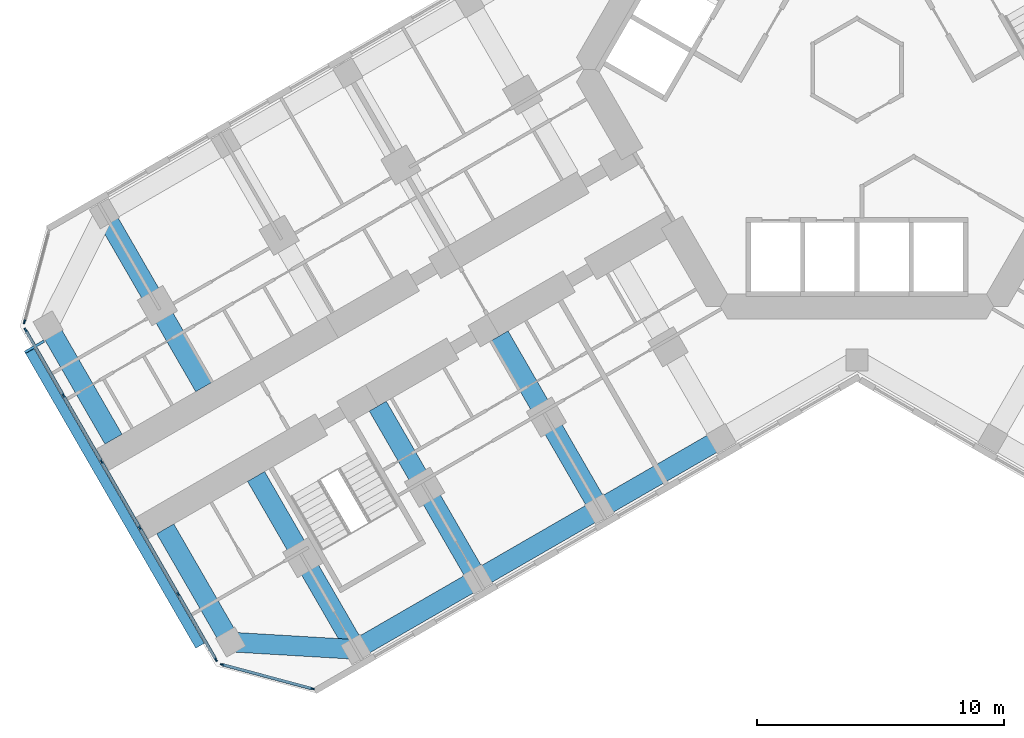
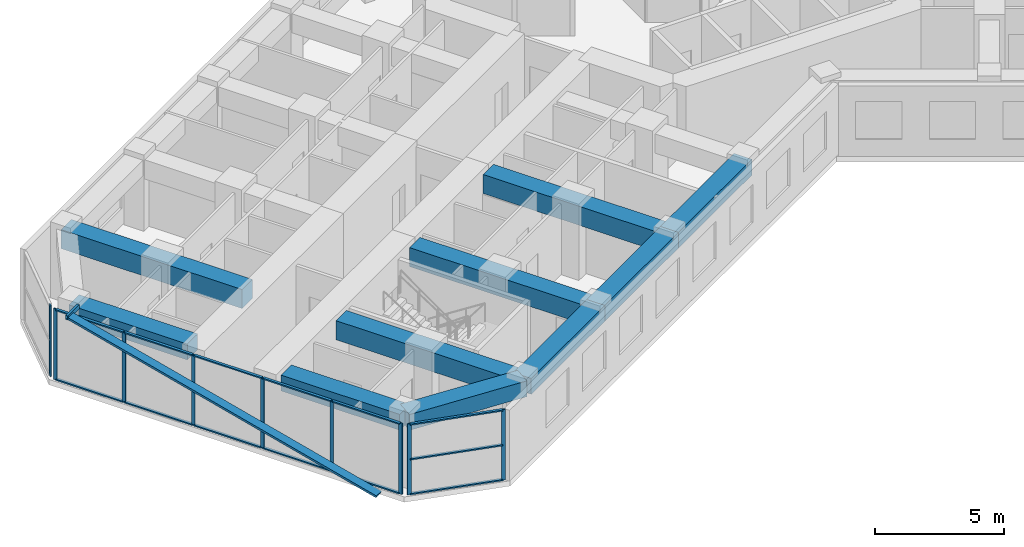
# One storey, part 2 of 21: 24 members, 10 beams, 3 elements without a shape of their own.
"""IFC4 building model written with IfcOpenShell, lengths in metres."""

from ifc_helpers import new_model, si_unit, direction, frame, origin, origin_2d, place, context, subcontext, project, spatial, rectangle, hollow_rectangle, extrude, material, material_profile, profile_set, type_object, element, aggregate, save


model = new_model("IFC4")

# Units and contexts
model_context = context("Model", 3, precision=1e-05, world=origin(), true_north=direction((0.0, 1.0)))
body_context = subcontext(model_context, "Body", "Model", "MODEL_VIEW")
ifc_project = project(units=[si_unit("LENGTHUNIT", "METRE"), si_unit("AREAUNIT", "SQUARE_METRE"), si_unit("VOLUMEUNIT", "CUBIC_METRE"), si_unit("PLANEANGLEUNIT", "RADIAN"), si_unit("MASSUNIT", "GRAM", prefix="KILO")], contexts=[model_context])

# Site, building, storey
site_placement = place(None, origin())
site = spatial("IfcSite", under=ifc_project, at=site_placement, CompositionType="ELEMENT")
building_placement = place(site_placement, origin())
building = spatial("IfcBuilding", under=site, at=building_placement, Name="Kosmar Iwan School Tower", CompositionType="ELEMENT")
storey_placement = place(building_placement, frame((0.0, 0.0, 80.800048828125)))
storey = spatial("IfcBuildingStorey", under=building, at=storey_placement, Name="L19", CompositionType="ELEMENT", Elevation=80.800048828125)

# Members
ifc_material_1 = material(Name="Black anodised aluminium", Category="aluminium")
ifc_material_profile_1 = material_profile(ifc_material_1, rectangle(XDim=0.10009765625, YDim=0.39990234375, at=origin_2d()), Name="FIN 100x400")
ifc_profile_set_1 = profile_set([ifc_material_profile_1], Name="Black anodised aluminium")
member_type_1 = type_object("IfcMemberType", Name="Diagonal fin 100x400", PredefinedType="USERDEFINED", material=ifc_profile_set_1)
member_1_placement = place(storey_placement, frame((-26.645263671875, -23.34912109375, -0.150146484375), z_axis=(-0.483793446988, 0.837970316603, 0.25248692866), x_axis=(0.126241714543, -0.218661104574, 0.96760030532)))
element("IfcMember", 1, at=member_1_placement, inside=storey, type_object=member_type_1, Name="Diagonal fin L19-F13", ObjectType="FIN", PredefinedType="USERDEFINED", context=body_context, shape_type="SweptSolid", body=[
    extrude(rectangle(XDim=0.10009765625, YDim=0.39990234375, at=origin_2d()), origin(), (0.0, 0.0, 1.0), 14.258544921875),
])
ifc_material_2 = material(Name="Steel S355", Category="steel")
ifc_material_profile_2 = material_profile(ifc_material_2, hollow_rectangle(XDim=0.10009765625, YDim=0.199951171875, WallThickness=0.008056640625, at=origin_2d()), Name="RHS 200x100x8")
ifc_profile_set_2 = profile_set([ifc_material_profile_2], Name="Steel S355")
member_type_2 = type_object("IfcMemberType", Name="Fin bracket RHS 200x100", PredefinedType="USERDEFINED", material=ifc_profile_set_2)
member_2_placement = place(storey_placement, frame((-32.963134765625, -11.006103515625, 3.474853515625), z_axis=(-0.866081705922, -0.499902469156, 0.0), x_axis=(0.499902469156, -0.866081705922, 0.0)))
element("IfcMember", 2, at=member_2_placement, inside=storey, type_object=member_type_2, Name="Fin bracket L20", ObjectType="FIN BRACKET", PredefinedType="USERDEFINED", context=body_context, shape_type="SweptSolid", body=[
    extrude(hollow_rectangle(XDim=0.10009765625, YDim=0.199951171875, WallThickness=0.008056640625, at=origin_2d()), origin(), (0.0, 0.0, 1.0), 0.900146484375),
])

# Curtain wall, member
ifc_material_3 = material(Name="Dark glass in black aluminium frame", Category="aluminium")
curtain_wall_type_1 = type_object("IfcCurtainWallType", Name="Chamfer curtain wall dark glass", PredefinedType="USERDEFINED", material=ifc_material_3)
curtain_wall_1_placement = place(storey_placement, origin())
curtain_wall_1 = element("IfcCurtainWall", 3, at=curtain_wall_1_placement, inside=storey, type_object=curtain_wall_type_1, Name="Curtain wall L19-F12", ObjectType="FACETED CURTAIN WALL", PredefinedType="USERDEFINED")
ifc_material_4 = material(Name="Black anodised aluminium", Category="aluminium")
ifc_material_profile_3 = material_profile(ifc_material_4, rectangle(XDim=0.06005859375, YDim=0.159912109375, at=origin_2d()), Name="MULLION 60x160")
ifc_profile_set_3 = profile_set([ifc_material_profile_3], Name="Black anodised aluminium")
member_type_3 = type_object("IfcMemberType", Name="Mullion 60x160", PredefinedType="MULLION", material=ifc_profile_set_3)
member_3_placement = place(storey_placement, frame((-33.7587890625, -10.2236328125, 0.0), z_axis=(0.0, 0.0, 1.0), x_axis=(0.965925875495, -0.258818861462, 0.0)))
member_3 = element("IfcMember", 4, at=member_3_placement, type_object=member_type_3, Name="CW2 mullion 2", PredefinedType="MULLION", context=body_context, shape_type="SweptSolid", body=[
    extrude(rectangle(XDim=0.06005859375, YDim=0.159912109375, at=origin_2d()), origin(), (0.0, 0.0, 1.0), 3.349853515625),
])
aggregate(curtain_wall_1, [member_3])

# Curtain wall, members
ifc_material_5 = material(Name="Dark glass in black aluminium frame", Category="aluminium")
curtain_wall_type_2 = type_object("IfcCurtainWallType", Name="Tower curtain wall dark glass", PredefinedType="USERDEFINED", material=ifc_material_5)
curtain_wall_2_placement = place(storey_placement, origin())
curtain_wall_2 = element("IfcCurtainWall", 5, at=curtain_wall_2_placement, inside=storey, type_object=curtain_wall_type_2, Name="Curtain wall L19-F13", ObjectType="UNITISED CURTAIN WALL", PredefinedType="USERDEFINED")
member_4_placement = place(storey_placement, frame((-33.71533203125, -10.55322265625, 0.0), z_axis=(0.0, 0.0, 1.0), x_axis=(0.866025405329, 0.499999997325, 0.0)))
member_4 = element("IfcMember", 6, at=member_4_placement, type_object=member_type_3, Name="CW1 mullion 1", PredefinedType="MULLION", context=body_context, shape_type="SweptSolid", body=[
    extrude(rectangle(XDim=0.06005859375, YDim=0.159912109375, at=origin_2d()), origin(), (0.0, 0.0, 1.0), 3.349853515625),
])
member_5_placement = place(storey_placement, frame((-32.1806640625, -13.21142578125, 0.0), z_axis=(0.0, 0.0, 1.0), x_axis=(0.866025405329, 0.499999997325, 0.0)))
member_5 = element("IfcMember", 7, at=member_5_placement, type_object=member_type_3, Name="CW1 mullion 2", PredefinedType="MULLION", context=body_context, shape_type="SweptSolid", body=[
    extrude(rectangle(XDim=0.06005859375, YDim=0.159912109375, at=origin_2d()), origin(), (0.0, 0.0, 1.0), 3.349853515625),
])
member_6_placement = place(storey_placement, frame((-30.631103515625, -15.8955078125, 0.0), z_axis=(0.0, 0.0, 1.0), x_axis=(0.866025405329, 0.499999997325, 0.0)))
member_6 = element("IfcMember", 8, at=member_6_placement, type_object=member_type_3, Name="CW1 mullion 3", PredefinedType="MULLION", context=body_context, shape_type="SweptSolid", body=[
    extrude(rectangle(XDim=0.06005859375, YDim=0.159912109375, at=origin_2d()), origin(), (0.0, 0.0, 1.0), 3.349853515625),
])
member_7_placement = place(storey_placement, frame((-29.081298828125, -18.57958984375, 0.0), z_axis=(0.0, 0.0, 1.0), x_axis=(0.866025405329, 0.499999997325, 0.0)))
member_7 = element("IfcMember", 9, at=member_7_placement, type_object=member_type_3, Name="CW1 mullion 4", PredefinedType="MULLION", context=body_context, shape_type="SweptSolid", body=[
    extrude(rectangle(XDim=0.06005859375, YDim=0.159912109375, at=origin_2d()), origin(), (0.0, 0.0, 1.0), 3.349853515625),
])
member_8_placement = place(storey_placement, frame((-27.53173828125, -21.263671875, 0.0), z_axis=(0.0, 0.0, 1.0), x_axis=(0.866025405329, 0.499999997325, 0.0)))
member_8 = element("IfcMember", 10, at=member_8_placement, type_object=member_type_3, Name="CW1 mullion 5", PredefinedType="MULLION", context=body_context, shape_type="SweptSolid", body=[
    extrude(rectangle(XDim=0.06005859375, YDim=0.159912109375, at=origin_2d()), origin(), (0.0, 0.0, 1.0), 3.349853515625),
])
member_9_placement = place(storey_placement, frame((-25.9970703125, -23.921630859375, 0.0), z_axis=(0.0, 0.0, 1.0), x_axis=(0.866025405329, 0.499999997325, 0.0)))
member_9 = element("IfcMember", 11, at=member_9_placement, type_object=member_type_3, Name="CW1 mullion 6", PredefinedType="MULLION", context=body_context, shape_type="SweptSolid", body=[
    extrude(rectangle(XDim=0.06005859375, YDim=0.159912109375, at=origin_2d()), origin(), (0.0, 0.0, 1.0), 3.349853515625),
])

curtain_wall_3_placement = place(storey_placement, origin())
curtain_wall_3 = element("IfcCurtainWall", 12, at=curtain_wall_3_placement, inside=storey, type_object=curtain_wall_type_1, Name="Curtain wall L19-F14", ObjectType="FACETED CURTAIN WALL", PredefinedType="USERDEFINED")
member_10_placement = place(storey_placement, frame((-25.733154296875, -24.124267578125, 0.0), z_axis=(0.0, 0.0, 1.0), x_axis=(0.258818861462, 0.965925875495, 0.0)))
member_10 = element("IfcMember", 13, at=member_10_placement, type_object=member_type_3, Name="CW2 mullion 1", PredefinedType="MULLION", context=body_context, shape_type="SweptSolid", body=[
    extrude(rectangle(XDim=0.06005859375, YDim=0.159912109375, at=origin_2d()), origin(), (0.0, 0.0, 1.0), 3.349853515625),
])
member_11_placement = place(storey_placement, frame((-22.0830078125, -25.102294921875, 0.0), z_axis=(0.0, 0.0, 1.0), x_axis=(0.258818861462, 0.965925875495, 0.0)))
member_11 = element("IfcMember", 14, at=member_11_placement, type_object=member_type_3, Name="CW2 mullion 2", PredefinedType="MULLION", context=body_context, shape_type="SweptSolid", body=[
    extrude(rectangle(XDim=0.06005859375, YDim=0.159912109375, at=origin_2d()), origin(), (0.0, 0.0, 1.0), 3.349853515625),
])

# Beams
ifc_material_6 = material(Name="Concrete C50/60", Category="concrete")
ifc_material_profile_4 = material_profile(ifc_material_6, rectangle(XDim=0.800048828125, YDim=0.75, at=origin_2d()), Name="RC 800x750")
ifc_profile_set_4 = profile_set([ifc_material_profile_4], Name="Concrete C50/60")
beam_type_1 = type_object("IfcBeamType", Name="RC edge beam 800x750", PredefinedType="BEAM", material=ifc_profile_set_4)
beam_1_placement = place(storey_placement, frame((-5.5087890625, -14.95849609375, 2.974853515625), z_axis=(-0.866033658841, -0.49998570155, 0.0), x_axis=(0.49998570155, -0.866033658841, 0.0)))
element("IfcBeam", 15, at=beam_1_placement, inside=storey, type_object=beam_type_1, Name="Edge beam BL2", PredefinedType="BEAM", context=body_context, shape_type="SweptSolid", body=[
    extrude(rectangle(XDim=0.800048828125, YDim=0.75, at=origin_2d()), origin(), (0.0, 0.0, 1.0), 5.699951171875),
])
beam_2_placement = place(storey_placement, frame((-10.445068359375, -17.808349609375, 2.974853515625), z_axis=(-0.866025820012, -0.499999279071, 0.0), x_axis=(0.499999279071, -0.866025820012, 0.0)))
element("IfcBeam", 16, at=beam_2_placement, inside=storey, type_object=beam_type_1, Name="Edge beam BL3", PredefinedType="BEAM", context=body_context, shape_type="SweptSolid", body=[
    extrude(rectangle(XDim=0.800048828125, YDim=0.75, at=origin_2d()), origin(), (0.0, 0.0, 1.0), 5.7001953125),
])
beam_3_placement = place(storey_placement, frame((-15.381591796875, -20.658447265625, 2.974853515625), z_axis=(-0.866015111908, -0.50001782563, 0.0), x_axis=(0.50001782563, -0.866015111908, 0.0)))
element("IfcBeam", 17, at=beam_3_placement, inside=storey, type_object=beam_type_1, Name="Edge beam BL4", PredefinedType="BEAM", context=body_context, shape_type="SweptSolid", body=[
    extrude(rectangle(XDim=0.800048828125, YDim=0.75, at=origin_2d()), origin(), (0.0, 0.0, 1.0), 5.699951171875),
])
ifc_material_7 = material(Name="Concrete C50/60", Category="concrete")
ifc_material_profile_5 = material_profile(ifc_material_7, rectangle(XDim=0.800048828125, YDim=0.75, at=origin_2d()), Name="RC 800x750")
ifc_profile_set_5 = profile_set([ifc_material_profile_5], Name="Concrete C50/60")
beam_type_2 = type_object("IfcBeamType", Name="RC tip beam 800x750", PredefinedType="BEAM", material=ifc_profile_set_5)
beam_4_placement = place(storey_placement, frame((-20.31787109375, -23.508544921875, 2.974853515625), z_axis=(-0.998260616478, 0.058955420358, 0.0), x_axis=(-0.058955420358, -0.998260616478, 0.0)))
element("IfcBeam", 18, at=beam_4_placement, inside=storey, type_object=beam_type_2, Name="Tip beam BL", PredefinedType="BEAM", context=body_context, shape_type="SweptSolid", body=[
    extrude(rectangle(XDim=0.800048828125, YDim=0.75, at=origin_2d()), origin(), (0.0, 0.0, 1.0), 5.08935546875),
])
beam_5_placement = place(storey_placement, frame((-25.3984375, -23.20849609375, 2.974853515625), z_axis=(-0.499993606316, 0.866029095148, 0.0), x_axis=(-0.866029095148, -0.499993606316, 0.0)))
element("IfcBeam", 19, at=beam_5_placement, inside=storey, type_object=beam_type_2, Name="Tip beam BL to corridor wall", PredefinedType="BEAM", context=body_context, shape_type="SweptSolid", body=[
    extrude(rectangle(XDim=0.800048828125, YDim=0.75, at=origin_2d()), origin(), (0.0, 0.0, 1.0), 5.2998046875),
])
beam_6_placement = place(storey_placement, frame((-32.79833984375, -10.391357421875, 2.974853515625), z_axis=(0.499973660256, -0.866040610509, 0.0), x_axis=(0.866040610509, 0.499973660256, 0.0)))
element("IfcBeam", 20, at=beam_6_placement, inside=storey, type_object=beam_type_2, Name="Tip beam BR to corridor wall", PredefinedType="BEAM", context=body_context, shape_type="SweptSolid", body=[
    extrude(rectangle(XDim=0.800048828125, YDim=0.75, at=origin_2d()), origin(), (0.0, 0.0, 1.0), 5.300048828125),
])
ifc_material_8 = material(Name="Concrete C50/60", Category="concrete")
ifc_material_profile_6 = material_profile(ifc_material_8, rectangle(XDim=0.800048828125, YDim=0.89990234375, at=origin_2d()), Name="RC 800x900")
ifc_profile_set_6 = profile_set([ifc_material_profile_6], Name="Concrete C50/60")
beam_type_3 = type_object("IfcBeamType", Name="RC transverse beam 800x900", PredefinedType="BEAM", material=ifc_profile_set_6)
beam_7_placement = place(storey_placement, frame((-10.445068359375, -17.808349609375, 2.89990234375), z_axis=(-0.500012932018, 0.866017937352, 0.0), x_axis=(-0.866017937352, -0.500012932018, 0.0)))
element("IfcBeam", 21, at=beam_7_placement, inside=storey, type_object=beam_type_3, Name="Transverse beam BL2", PredefinedType="BEAM", context=body_context, shape_type="SweptSolid", body=[
    extrude(rectangle(XDim=0.800048828125, YDim=0.89990234375, at=origin_2d()), origin(), (0.0, 0.0, 1.0), 8.099853515625),
])
for number, where, z_axis, x_axis, name in (
    (22, (-15.381591796875, -20.658447265625, 2.89990234375), (-0.499977274689, 0.866038523851, 0.0), (-0.866038523851, -0.499977274689, 0.0), "Transverse beam BL3"),
    (23, (-20.31787109375, -23.508544921875, 2.89990234375), (-0.499999880539, 0.866025472755, 0.0), (-0.866025472755, -0.499999880539, 0.0), "Transverse beam BL4"),
    (24, (-30.517822265625, -5.841552734375, 2.89990234375), (0.499999880539, -0.866025472755, 0.0), (0.866025472755, 0.499999880539, 0.0), "Transverse beam BR4"),
):
    element("IfcBeam", number, at=place(storey_placement, frame(where, z_axis=z_axis, x_axis=x_axis)), inside=storey, type_object=beam_type_3, Name=name, PredefinedType="BEAM", context=body_context, shape_type="SweptSolid", body=[
        extrude(rectangle(XDim=0.800048828125, YDim=0.89990234375, at=origin_2d()), origin(), (0.0, 0.0, 1.0), 8.10009765625),
    ])

# Member
ifc_material_9 = material(Name="Black anodised aluminium", Category="aluminium")
ifc_material_profile_7 = material_profile(ifc_material_9, rectangle(XDim=0.1201171875, YDim=0.06005859375, at=origin_2d()), Name="TRANSOM 60x120")
ifc_profile_set_7 = profile_set([ifc_material_profile_7], Name="Black anodised aluminium")
member_type_4 = type_object("IfcMemberType", Name="Transom 60x120", PredefinedType="USERDEFINED", material=ifc_profile_set_7)
member_12_placement = place(storey_placement, frame((-33.700439453125, -10.579345703125, 0.030029296875), z_axis=(0.500022102064, -0.866012642776, 0.0), x_axis=(0.866012642776, 0.500022102064, 0.0)))
member_12 = element("IfcMember", 25, at=member_12_placement, type_object=member_type_4, Name="CW1 transom 1.1", ObjectType="TRANSOM", PredefinedType="USERDEFINED", context=body_context, shape_type="SweptSolid", body=[
    extrude(rectangle(XDim=0.1201171875, YDim=0.06005859375, at=origin_2d()), origin(), (0.0, 0.0, 1.0), 3.009033203125),
])

member_13_placement = place(storey_placement, frame((-33.700439453125, -10.579345703125, 3.320068359375), z_axis=(0.500022102064, -0.866012642776, 0.0), x_axis=(0.866012642776, 0.500022102064, 0.0)))
member_13 = element("IfcMember", 26, at=member_13_placement, type_object=member_type_4, Name="CW1 transom 1.2", ObjectType="TRANSOM", PredefinedType="USERDEFINED", context=body_context, shape_type="SweptSolid", body=[
    extrude(rectangle(XDim=0.1201171875, YDim=0.06005859375, at=origin_2d()), origin(), (0.0, 0.0, 1.0), 3.009033203125),
])

member_14_placement = place(storey_placement, frame((-32.165771484375, -13.2373046875, 0.030029296875), z_axis=(0.500035348339, -0.866004994449, 0.0), x_axis=(0.866004994449, 0.500035348339, 0.0)))
member_14 = element("IfcMember", 27, at=member_14_placement, type_object=member_type_4, Name="CW1 transom 2.1", ObjectType="TRANSOM", PredefinedType="USERDEFINED", context=body_context, shape_type="SweptSolid", body=[
    extrude(rectangle(XDim=0.1201171875, YDim=0.06005859375, at=origin_2d()), origin(), (0.0, 0.0, 1.0), 3.039306640625),
])

member_15_placement = place(storey_placement, frame((-32.165771484375, -13.2373046875, 3.320068359375), z_axis=(0.500035348339, -0.866004994449, 0.0), x_axis=(0.866004994449, 0.500035348339, 0.0)))
member_15 = element("IfcMember", 28, at=member_15_placement, type_object=member_type_4, Name="CW1 transom 2.2", ObjectType="TRANSOM", PredefinedType="USERDEFINED", context=body_context, shape_type="SweptSolid", body=[
    extrude(rectangle(XDim=0.1201171875, YDim=0.06005859375, at=origin_2d()), origin(), (0.0, 0.0, 1.0), 3.039306640625),
])

member_16_placement = place(storey_placement, frame((-30.615966796875, -15.92138671875, 0.030029296875), z_axis=(0.499975102327, -0.866039777986, 0.0), x_axis=(0.866039777986, 0.499975102327, 0.0)))
member_16 = element("IfcMember", 29, at=member_16_placement, type_object=member_type_4, Name="CW1 transom 3.1", ObjectType="TRANSOM", PredefinedType="USERDEFINED", context=body_context, shape_type="SweptSolid", body=[
    extrude(rectangle(XDim=0.1201171875, YDim=0.06005859375, at=origin_2d()), origin(), (0.0, 0.0, 1.0), 3.039306640625),
])

member_17_placement = place(storey_placement, frame((-30.615966796875, -15.92138671875, 3.320068359375), z_axis=(0.499975102327, -0.866039777986, 0.0), x_axis=(0.866039777986, 0.499975102327, 0.0)))
member_17 = element("IfcMember", 30, at=member_17_placement, type_object=member_type_4, Name="CW1 transom 3.2", ObjectType="TRANSOM", PredefinedType="USERDEFINED", context=body_context, shape_type="SweptSolid", body=[
    extrude(rectangle(XDim=0.1201171875, YDim=0.06005859375, at=origin_2d()), origin(), (0.0, 0.0, 1.0), 3.039306640625),
])

member_18_placement = place(storey_placement, frame((-29.06640625, -18.60546875, 0.030029296875), z_axis=(0.499975102327, -0.866039777986, 0.0), x_axis=(0.866039777986, 0.499975102327, 0.0)))
member_18 = element("IfcMember", 31, at=member_18_placement, type_object=member_type_4, Name="CW1 transom 4.1", ObjectType="TRANSOM", PredefinedType="USERDEFINED", context=body_context, shape_type="SweptSolid", body=[
    extrude(rectangle(XDim=0.1201171875, YDim=0.06005859375, at=origin_2d()), origin(), (0.0, 0.0, 1.0), 3.039306640625),
])

member_19_placement = place(storey_placement, frame((-29.06640625, -18.60546875, 3.320068359375), z_axis=(0.499975102327, -0.866039777986, 0.0), x_axis=(0.866039777986, 0.499975102327, 0.0)))
member_19 = element("IfcMember", 32, at=member_19_placement, type_object=member_type_4, Name="CW1 transom 4.2", ObjectType="TRANSOM", PredefinedType="USERDEFINED", context=body_context, shape_type="SweptSolid", body=[
    extrude(rectangle(XDim=0.1201171875, YDim=0.06005859375, at=origin_2d()), origin(), (0.0, 0.0, 1.0), 3.039306640625),
])

member_20_placement = place(storey_placement, frame((-27.516845703125, -21.28955078125, 0.030029296875), z_axis=(0.499986971506, -0.866032925658, 0.0), x_axis=(0.866032925658, 0.499986971506, 0.0)))
member_20 = element("IfcMember", 33, at=member_20_placement, type_object=member_type_4, Name="CW1 transom 5.1", ObjectType="TRANSOM", PredefinedType="USERDEFINED", context=body_context, shape_type="SweptSolid", body=[
    extrude(rectangle(XDim=0.1201171875, YDim=0.06005859375, at=origin_2d()), origin(), (0.0, 0.0, 1.0), 3.00927734375),
])

member_21_placement = place(storey_placement, frame((-27.516845703125, -21.28955078125, 3.320068359375), z_axis=(0.499986971506, -0.866032925658, 0.0), x_axis=(0.866032925658, 0.499986971506, 0.0)))
member_21 = element("IfcMember", 34, at=member_21_placement, type_object=member_type_4, Name="CW1 transom 5.2", ObjectType="TRANSOM", PredefinedType="USERDEFINED", context=body_context, shape_type="SweptSolid", body=[
    extrude(rectangle(XDim=0.1201171875, YDim=0.06005859375, at=origin_2d()), origin(), (0.0, 0.0, 1.0), 3.00927734375),
])

aggregate(curtain_wall_2, [member_4, member_5, member_6, member_7, member_8, member_9, member_12, member_13, member_14, member_15, member_16, member_17, member_18, member_19, member_20, member_21])

member_22_placement = place(storey_placement, frame((-25.704345703125, -24.1318359375, 0.030029296875), z_axis=(0.965923731726, -0.258826861991, 0.0), x_axis=(0.258826861991, 0.965923731726, 0.0)))
member_22 = element("IfcMember", 35, at=member_22_placement, type_object=member_type_4, Name="CW2 transom 1.1", ObjectType="TRANSOM", PredefinedType="USERDEFINED", context=body_context, shape_type="SweptSolid", body=[
    extrude(rectangle(XDim=0.1201171875, YDim=0.06005859375, at=origin_2d()), origin(), (0.0, 0.0, 1.0), 3.71923828125),
])

member_23_placement = place(storey_placement, frame((-25.704345703125, -24.1318359375, 1.675048828125), z_axis=(0.965923731726, -0.258826861991, 0.0), x_axis=(0.258826861991, 0.965923731726, 0.0)))
member_23 = element("IfcMember", 36, at=member_23_placement, type_object=member_type_4, Name="CW2 transom 1.2", ObjectType="TRANSOM", PredefinedType="USERDEFINED", context=body_context, shape_type="SweptSolid", body=[
    extrude(rectangle(XDim=0.1201171875, YDim=0.06005859375, at=origin_2d()), origin(), (0.0, 0.0, 1.0), 3.71923828125),
])

member_24_placement = place(storey_placement, frame((-25.704345703125, -24.1318359375, 3.320068359375), z_axis=(0.965923731726, -0.258826861991, 0.0), x_axis=(0.258826861991, 0.965923731726, 0.0)))
member_24 = element("IfcMember", 37, at=member_24_placement, type_object=member_type_4, Name="CW2 transom 1.3", ObjectType="TRANSOM", PredefinedType="USERDEFINED", context=body_context, shape_type="SweptSolid", body=[
    extrude(rectangle(XDim=0.1201171875, YDim=0.06005859375, at=origin_2d()), origin(), (0.0, 0.0, 1.0), 3.71923828125),
])

aggregate(curtain_wall_3, [member_10, member_11, member_22, member_23, member_24])

save(model, "model.ifc")
